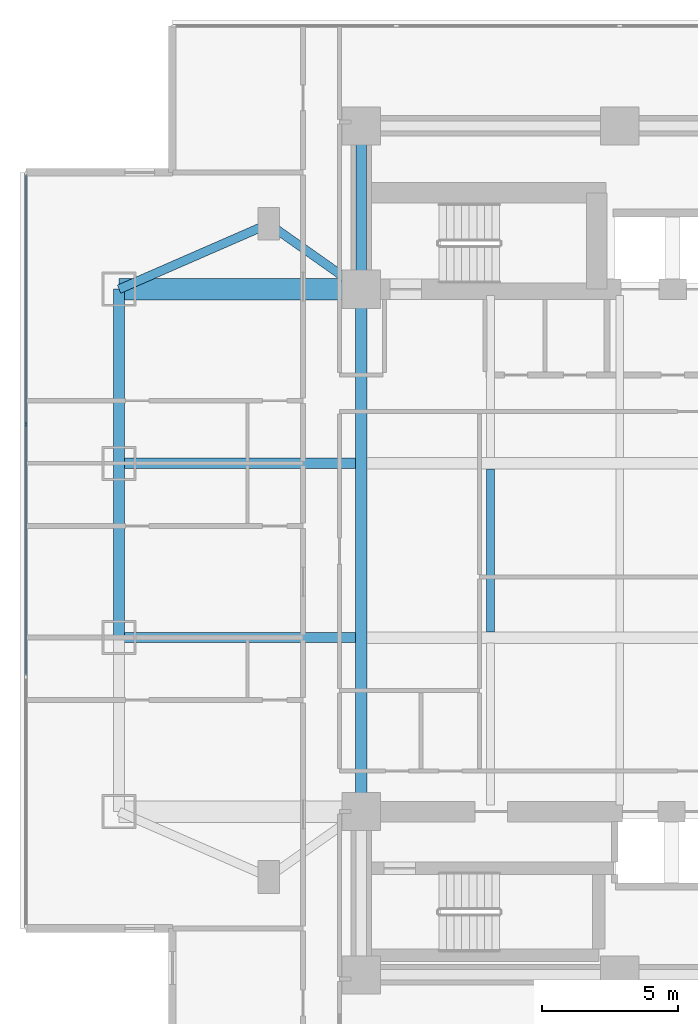
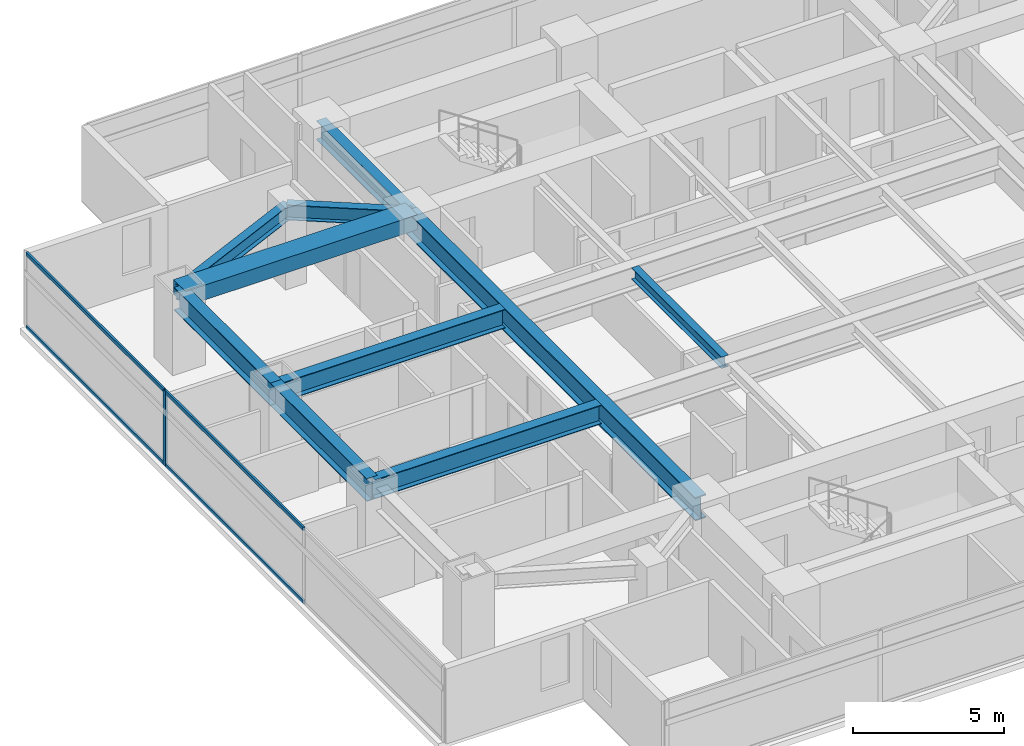
# One storey, part 3 of 25: 10 beams, 5 members, 1 element without a shape of its own.
"""IFC4 building model written with IfcOpenShell, lengths in metres."""

from ifc_helpers import new_model, si_unit, direction, frame, origin, origin_2d, place, context, subcontext, project, spatial, rectangle, i_section, extrude, material, material_profile, profile_set, type_object, element, aggregate, save


model = new_model("IFC4")

# Units and contexts
model_context = context("Model", 3, precision=1e-05, world=origin(), true_north=direction((0.0, 1.0)))
body_context = subcontext(model_context, "Body", "Model", "MODEL_VIEW")
ifc_project = project(units=[si_unit("LENGTHUNIT", "METRE"), si_unit("AREAUNIT", "SQUARE_METRE"), si_unit("VOLUMEUNIT", "CUBIC_METRE"), si_unit("PLANEANGLEUNIT", "RADIAN"), si_unit("MASSUNIT", "GRAM", prefix="KILO")], contexts=[model_context])

# Site, building, storey
site_placement = place(None, origin())
site = spatial("IfcSite", under=ifc_project, at=site_placement, CompositionType="ELEMENT")
building_placement = place(site_placement, origin())
building = spatial("IfcBuilding", under=site, at=building_placement, Name="Mirazonda Arch Towers", CompositionType="ELEMENT")
storey_placement = place(building_placement, frame((0.0, 0.0, 32.300048828125)))
storey = spatial("IfcBuildingStorey", under=building, at=storey_placement, Name="L08", CompositionType="ELEMENT", Elevation=32.300048828125)

# Beams
ifc_material_1 = material(Name="Steel ASTM A992 Grade 50", Category="steel")
ifc_material_profile_1 = material_profile(ifc_material_1, i_section(OverallWidth=0.41796875, OverallDepth=0.927001953125, WebThickness=0.019287109375, FlangeThickness=0.031982421875, at=origin_2d()), Name="W36X231")
ifc_profile_set_1 = profile_set([ifc_material_profile_1], Name="Steel ASTM A992 Grade 50")
beam_type_1 = type_object("IfcBeamType", Name="BM-EXT-W36X231", PredefinedType="USERDEFINED", material=ifc_profile_set_1)
beam_1_placement = place(storey_placement, frame((2.10009765625, 24.800048828125, 2.596435546875), z_axis=(0.0, 1.0, 0.0), x_axis=(-1.0, 0.0, 0.0)))
element("IfcBeam", 1, at=beam_1_placement, inside=storey, type_object=beam_type_1, Name="L08 Floor Beam BM-T1-L08-NS-W-24", ObjectType="GIRDER", PredefinedType="USERDEFINED", context=body_context, shape_type="SweptSolid", body=[
    extrude(i_section(OverallWidth=0.41796875, OverallDepth=0.927001953125, WebThickness=0.019287109375, FlangeThickness=0.031982421875, at=origin_2d()), origin(), (0.0, 0.0, 1.0), 6.39990234375),
])
beam_2_placement = place(storey_placement, frame((2.10009765625, 31.199951171875, 2.596435546875), z_axis=(0.0, 1.0, 0.0), x_axis=(-1.0, 0.0, 0.0)))
element("IfcBeam", 2, at=beam_2_placement, inside=storey, type_object=beam_type_1, Name="L08 Floor Beam BM-T1-L08-NS-W-31", ObjectType="GIRDER", PredefinedType="USERDEFINED", context=body_context, shape_type="SweptSolid", body=[
    extrude(i_section(OverallWidth=0.41796875, OverallDepth=0.927001953125, WebThickness=0.019287109375, FlangeThickness=0.031982421875, at=origin_2d()), origin(), (0.0, 0.0, 1.0), 6.400146484375),
])
ifc_material_profile_2 = material_profile(ifc_material_1, i_section(OverallWidth=0.280029296875, OverallDepth=0.462890625, WebThickness=0.0107421875, FlangeThickness=0.017333984375, at=origin_2d()), Name="W18X76")
ifc_profile_set_2 = profile_set([ifc_material_profile_2], Name="Steel ASTM A992 Grade 50")
beam_type_2 = type_object("IfcBeamType", Name="BM-INT-W18X76", PredefinedType="JOIST", material=ifc_profile_set_2)
beam_3_placement = place(storey_placement, frame((15.75, 25.007568359375, 2.828369140625), z_axis=(0.0, 1.0, 0.0), x_axis=(-1.0, 0.0, 0.0)))
element("IfcBeam", 3, at=beam_3_placement, inside=storey, type_object=beam_type_2, Name="L08 Floor Beam BM-T1-L08-J-157-24", PredefinedType="JOIST", context=body_context, shape_type="SweptSolid", body=[
    extrude(i_section(OverallWidth=0.280029296875, OverallDepth=0.462890625, WebThickness=0.0107421875, FlangeThickness=0.017333984375, at=origin_2d()), origin(), (0.0, 0.0, 1.0), 5.98486328125),
])
ifc_material_profile_3 = material_profile(ifc_material_1, i_section(OverallWidth=0.324951171875, OverallDepth=0.615966796875, WebThickness=0.013916015625, FlangeThickness=0.021484375, at=origin_2d()), Name="W24X117")
ifc_profile_set_3 = profile_set([ifc_material_profile_3], Name="Steel ASTM A992 Grade 50")
beam_type_3 = type_object("IfcBeamType", Name="BM-INT-W24X117", PredefinedType="BEAM", material=ifc_profile_set_3)
beam_4_placement = place(storey_placement, frame((7.60009765625, 40.0, 2.751953125), z_axis=(0.816971114901, -0.576678591087, 0.0), x_axis=(0.576678591087, 0.816971114901, 0.0)))
element("IfcBeam", 4, at=beam_4_placement, inside=storey, type_object=beam_type_3, Name="L08 Floor Beam BM-T1-L08-PL-NW1", PredefinedType="BEAM", context=body_context, shape_type="SweptSolid", body=[
    extrude(i_section(OverallWidth=0.324951171875, OverallDepth=0.615966796875, WebThickness=0.013916015625, FlangeThickness=0.021484375, at=origin_2d()), origin(), (0.0, 0.0, 1.0), 4.16162109375),
])
beam_5_placement = place(storey_placement, frame((7.60009765625, 40.0, 2.751953125), z_axis=(-0.916545343703, -0.399930785183, 0.0), x_axis=(0.399930785183, -0.916545343703, 0.0)))
element("IfcBeam", 5, at=beam_5_placement, inside=storey, type_object=beam_type_3, Name="L08 Floor Beam BM-T1-L08-PL-NW2", PredefinedType="BEAM", context=body_context, shape_type="SweptSolid", body=[
    extrude(i_section(OverallWidth=0.324951171875, OverallDepth=0.615966796875, WebThickness=0.013916015625, FlangeThickness=0.021484375, at=origin_2d()), origin(), (0.0, 0.0, 1.0), 6.000732421875),
])
ifc_material_profile_4 = material_profile(ifc_material_1, i_section(OverallWidth=0.381103515625, OverallDepth=0.77294921875, WebThickness=0.0166015625, FlangeThickness=0.027099609375, at=origin_2d()), Name="W30X173")
ifc_profile_set_4 = profile_set([ifc_material_profile_4], Name="Steel ASTM A992 Grade 50")
beam_type_4 = type_object("IfcBeamType", Name="BM-INT-W30X173", PredefinedType="USERDEFINED", material=ifc_profile_set_4)
for number, where, z_axis, x_axis, name in (
    (6, (2.10009765625, 24.800048828125, 2.67333984375), (1.0, 0.0, 0.0), (0.0, 1.0, 0.0), "L08 Floor Beam BM-T1-L08-GW2"),
    (7, (2.10009765625, 31.199951171875, 2.67333984375), (1.0, 0.0, 0.0), (0.0, 1.0, 0.0), "L08 Floor Beam BM-T1-L08-GW3"),
):
    element("IfcBeam", number, at=place(storey_placement, frame(where, z_axis=z_axis, x_axis=x_axis)), inside=storey, type_object=beam_type_4, Name=name, ObjectType="GIRDER", PredefinedType="USERDEFINED", context=body_context, shape_type="SweptSolid", body=[
        extrude(i_section(OverallWidth=0.381103515625, OverallDepth=0.77294921875, WebThickness=0.0166015625, FlangeThickness=0.027099609375, at=origin_2d()), origin(), (0.0, 0.0, 1.0), 8.6884765625),
    ])
beam_6_placement = place(storey_placement, frame((11.0, 37.60009765625, 2.67333984375), z_axis=(0.0, 1.0, 0.0), x_axis=(-1.0, 0.0, 0.0)))
element("IfcBeam", 8, at=beam_6_placement, inside=storey, type_object=beam_type_4, Name="L08 Floor Beam BM-T1-L08-CNW", ObjectType="GIRDER", PredefinedType="USERDEFINED", context=body_context, shape_type="SweptSolid", body=[
    extrude(i_section(OverallWidth=0.381103515625, OverallDepth=0.77294921875, WebThickness=0.0166015625, FlangeThickness=0.027099609375, at=origin_2d()), origin(), (0.0, 0.0, 1.0), 6.0),
])
ifc_material_profile_5 = material_profile(ifc_material_1, i_section(OverallWidth=0.423095703125, OverallDepth=0.947998046875, WebThickness=0.02392578125, FlangeThickness=0.042724609375, at=origin_2d()), Name="W36X302")
ifc_profile_set_5 = profile_set([ifc_material_profile_5], Name="Steel ASTM A992 Grade 50")
beam_type_5 = type_object("IfcBeamType", Name="BM-INT-W36X302", PredefinedType="USERDEFINED", material=ifc_profile_set_5)
beam_7_placement = place(storey_placement, frame((11.0, 18.39990234375, 2.5859375), z_axis=(0.0, 1.0, 0.0), x_axis=(-1.0, 0.0, 0.0)))
element("IfcBeam", 9, at=beam_7_placement, inside=storey, type_object=beam_type_5, Name="L08 Floor Beam BM-T1-L08-NS-CW-FULL", ObjectType="GIRDER", PredefinedType="USERDEFINED", context=body_context, shape_type="SweptSolid", body=[
    extrude(i_section(OverallWidth=0.423095703125, OverallDepth=0.947998046875, WebThickness=0.02392578125, FlangeThickness=0.042724609375, at=origin_2d()), origin(), (0.0, 0.0, 1.0), 19.2001953125),
])
ifc_material_2 = material(Name="Concrete C60/75", Category="concrete")
ifc_material_profile_6 = material_profile(ifc_material_2, rectangle(XDim=0.800048828125, YDim=0.60009765625, at=origin_2d()), Name="RCCB800x600")
ifc_profile_set_6 = profile_set([ifc_material_profile_6], Name="Concrete C60/75")
beam_type_6 = type_object("IfcBeamType", Name="CB-INT-RCCB800x600", PredefinedType="SPANDREL", material=ifc_profile_set_6)
beam_8_placement = place(storey_placement, frame((2.10009765625, 37.60009765625, 2.760009765625), z_axis=(1.0, 0.0, 0.0), x_axis=(0.0, 1.0, 0.0)))
element("IfcBeam", 10, at=beam_8_placement, inside=storey, type_object=beam_type_6, Name="L08 Floor Beam CBC-T1-L08-NW", PredefinedType="SPANDREL", context=body_context, shape_type="SweptSolid", body=[
    extrude(rectangle(XDim=0.800048828125, YDim=0.60009765625, at=origin_2d()), origin(), (0.0, 0.0, 1.0), 8.89990234375),
])

# Curtain wall, members
ifc_material_3 = material(Name="Anodised Aluminium and Low-E Glass", Category="aluminium")
curtain_wall_type = type_object("IfcCurtainWallType", Name="CW-HTL-UNIT", PredefinedType="NOTDEFINED", material=ifc_material_3)
curtain_wall_placement = place(storey_placement, origin())
curtain_wall = element("IfcCurtainWall", 11, at=curtain_wall_placement, inside=storey, type_object=curtain_wall_type, Name="L08 T1 W Facade CW-L08-T1-W", PredefinedType="NOTDEFINED")
ifc_material_4 = material(Name="Anodised Aluminium Alloy", Category="aluminium")
ifc_material_profile_7 = material_profile(ifc_material_4, rectangle(XDim=0.074951171875, YDim=0.1650390625, at=origin_2d()), Name="ALU-MULL-75x165")
ifc_profile_set_7 = profile_set([ifc_material_profile_7], Name="Anodised Aluminium Alloy")
member_type_1 = type_object("IfcMemberType", Name="MULL-CW-HTL-UNIT", PredefinedType="MULLION", material=ifc_profile_set_7)
member_1_placement = place(storey_placement, frame((-1.320068359375, 32.63134765625, 0.0), z_axis=(0.0, 0.0, 1.0), x_axis=(1.0, 0.0, 0.0)))
member_1 = element("IfcMember", 12, at=member_1_placement, type_object=member_type_1, Name="CW-112 mullion 2", PredefinedType="MULLION", context=body_context, shape_type="SweptSolid", body=[
    extrude(rectangle(XDim=0.074951171875, YDim=0.1650390625, at=origin_2d()), origin(), (0.0, 0.0, 1.0), 3.0400390625),
])
ifc_material_profile_8 = material_profile(ifc_material_4, rectangle(XDim=0.074951171875, YDim=0.14501953125, at=origin_2d()), Name="ALU-TRAN-75x145")
ifc_profile_set_8 = profile_set([ifc_material_profile_8], Name="Anodised Aluminium Alloy")
member_type_2 = type_object("IfcMemberType", Name="TRAN-CW-HTL-UNIT", PredefinedType="USERDEFINED", material=ifc_profile_set_8)
member_2_placement = place(storey_placement, frame((-1.320068359375, 41.819091796875, 0.037353515625), z_axis=(0.0, -1.0, 0.0), x_axis=(1.0, 0.0, 0.0)))
member_2 = element("IfcMember", 13, at=member_2_placement, type_object=member_type_2, Name="CW-112 transom 1.1", ObjectType="TRANSOM", PredefinedType="USERDEFINED", context=body_context, shape_type="SweptSolid", body=[
    extrude(rectangle(XDim=0.074951171875, YDim=0.14501953125, at=origin_2d()), origin(), (0.0, 0.0, 1.0), 9.150146484375),
])
member_3_placement = place(storey_placement, frame((-1.320068359375, 41.819091796875, 3.00244140625), z_axis=(0.0, -1.0, 0.0), x_axis=(1.0, 0.0, 0.0)))
member_3 = element("IfcMember", 14, at=member_3_placement, type_object=member_type_2, Name="CW-112 transom 1.2", ObjectType="TRANSOM", PredefinedType="USERDEFINED", context=body_context, shape_type="SweptSolid", body=[
    extrude(rectangle(XDim=0.074951171875, YDim=0.14501953125, at=origin_2d()), origin(), (0.0, 0.0, 1.0), 9.150146484375),
])
member_4_placement = place(storey_placement, frame((-1.320068359375, 32.59375, 0.037353515625), z_axis=(0.0, -1.0, 0.0), x_axis=(1.0, 0.0, 0.0)))
member_4 = element("IfcMember", 15, at=member_4_placement, type_object=member_type_2, Name="CW-112 transom 2.1", ObjectType="TRANSOM", PredefinedType="USERDEFINED", context=body_context, shape_type="SweptSolid", body=[
    extrude(rectangle(XDim=0.074951171875, YDim=0.14501953125, at=origin_2d()), origin(), (0.0, 0.0, 1.0), 9.1875),
])
member_5_placement = place(storey_placement, frame((-1.320068359375, 32.59375, 3.00244140625), z_axis=(0.0, -1.0, 0.0), x_axis=(1.0, 0.0, 0.0)))
member_5 = element("IfcMember", 16, at=member_5_placement, type_object=member_type_2, Name="CW-112 transom 2.2", ObjectType="TRANSOM", PredefinedType="USERDEFINED", context=body_context, shape_type="SweptSolid", body=[
    extrude(rectangle(XDim=0.074951171875, YDim=0.14501953125, at=origin_2d()), origin(), (0.0, 0.0, 1.0), 9.1875),
])
aggregate(curtain_wall, [member_1, member_2, member_3, member_4, member_5])

save(model, "model.ifc")
